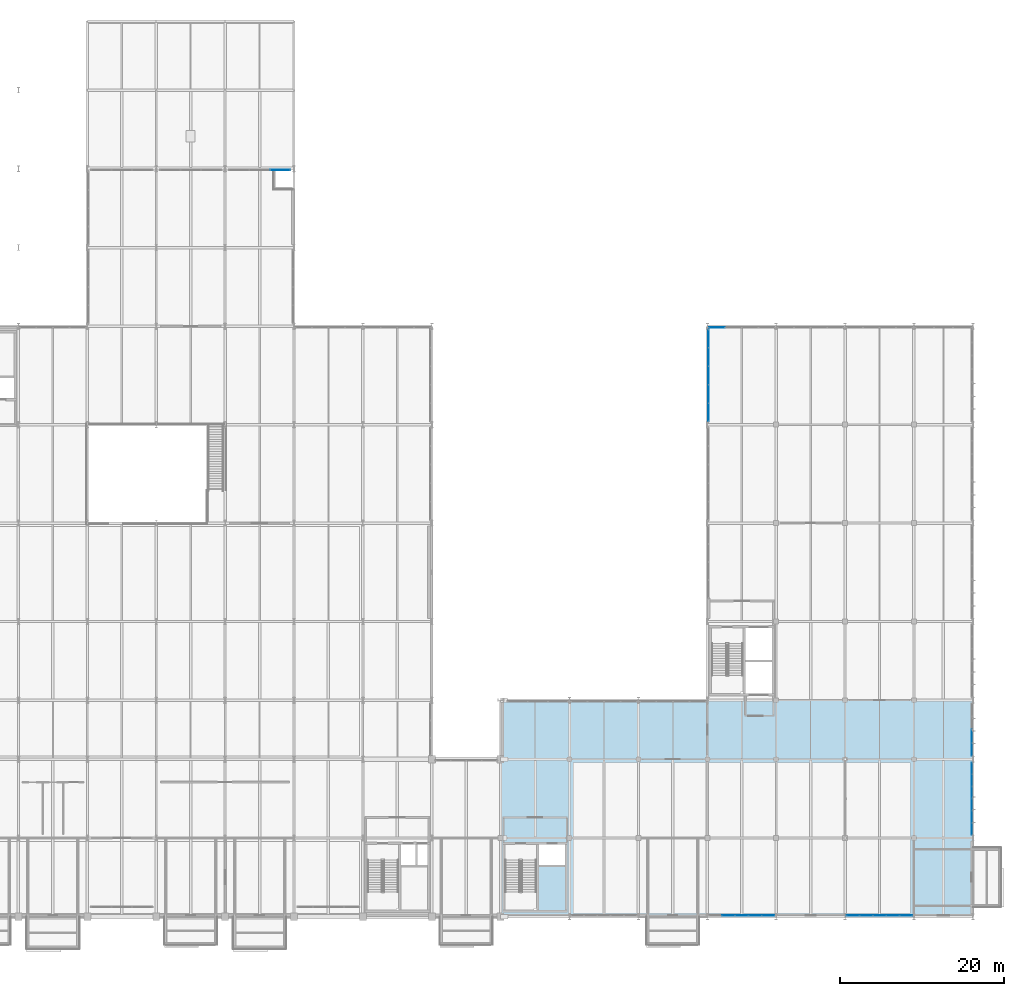
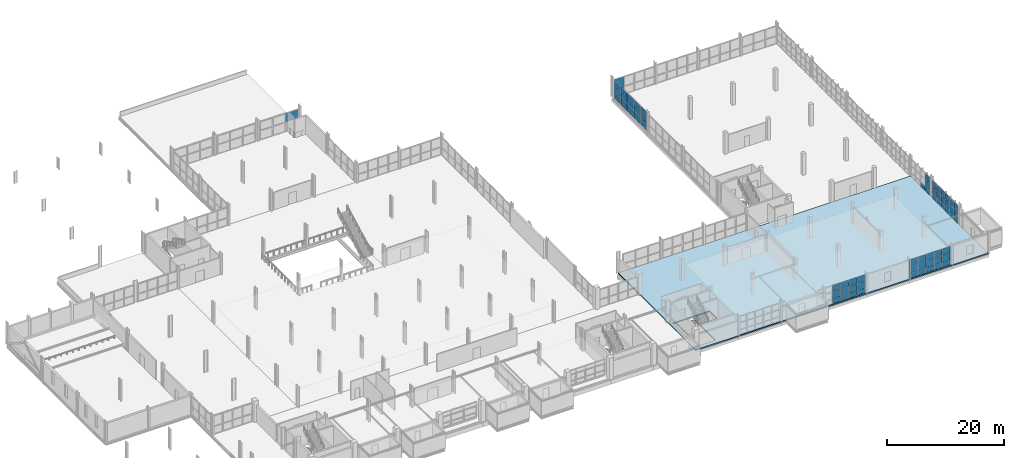
# One storey, part 91 of 113: 62 plates, 1 slab, 7 elements without a shape of their own.
"""IFC4 building model written with IfcOpenShell, lengths in metres."""

from ifc_helpers import new_model, si_unit, direction, frame, origin, origin_2d, place, context, subcontext, project, spatial, polyline, rectangle, outline, extrude, material, layer, layer_set, type_object, element, aggregate, save


model = new_model("IFC4")

# Units and contexts
model_context = context("Model", 3, precision=1e-05, world=origin(), true_north=direction((0.0, 1.0)))
body_context = subcontext(model_context, "Body", "Model", "MODEL_VIEW")
ifc_project = project(units=[si_unit("LENGTHUNIT", "METRE"), si_unit("AREAUNIT", "SQUARE_METRE"), si_unit("VOLUMEUNIT", "CUBIC_METRE"), si_unit("PLANEANGLEUNIT", "RADIAN"), si_unit("MASSUNIT", "GRAM", prefix="KILO")], contexts=[model_context])

# Site, building, storey
site_placement = place(None, origin())
site = spatial("IfcSite", under=ifc_project, at=site_placement, CompositionType="ELEMENT")
building_placement = place(site_placement, origin())
building = spatial("IfcBuilding", under=site, at=building_placement, Name="Veltarok Museum of Natural Sciences", CompositionType="ELEMENT")
storey_placement = place(building_placement, frame((0.0, 0.0, 8.39990234375)))
storey = spatial("IfcBuildingStorey", under=building, at=storey_placement, Name="L01", CompositionType="ELEMENT", Elevation=8.39990234375)

# Slab
ifc_material_1 = material(Name="Concrete C35/45", Category="concrete")
ifc_layer_1 = layer(ifc_material_1, 0.25)
ifc_layer_set_1 = layer_set([ifc_layer_1], Name="Concrete C35/45")
slab_type = type_object("IfcSlabType", Name="Suspended Museum Floor Slab 250", PredefinedType="FLOOR", material=ifc_layer_set_1)
slab_placement = place(storey_placement, frame((0.0, 0.0, -0.25)))
element("IfcSlab", 1, at=slab_placement, inside=storey, type_object=slab_type, Name="Floor Slab L01 V5S", PredefinedType="FLOOR", context=body_context, shape_type="SweptSolid", body=[
    extrude(outline(polyline([(107.22509765625, 0.0), (107.22509765625, 26.39990234375), (164.800048828125, 26.39990234375), (164.800048828125, 0.0), (107.22509765625, 0.0)]), holes=[polyline([(107.72998046875, 8.800048828125), (107.72998046875, 0.800048828125), (111.570068359375, 0.800048828125), (111.570068359375, 8.800048828125), (107.72998046875, 8.800048828125)]), polyline([(115.070068359375, 8.800048828125), (111.8701171875, 8.800048828125), (111.8701171875, 6.300048828125), (115.070068359375, 6.300048828125), (115.070068359375, 8.800048828125)])]), origin(), (0.0, 0.0, 1.0), 0.25),
])

# Curtain wall, plate
ifc_material_2 = material(Name="Low-iron triple insulated glass", Category="glass")
curtain_wall_type_1 = type_object("IfcCurtainWallType", Name="Curtain Wall System CW-V2NP-L01-9-756x385 (North Pavilion L01 9-10 756x385cm)", PredefinedType="NOTDEFINED", material=ifc_material_2)
curtain_wall_1_placement = place(storey_placement, origin())
curtain_wall_1 = element("IfcCurtainWall", 2, at=curtain_wall_1_placement, inside=storey, type_object=curtain_wall_type_1, Name="Curtain Wall CW-V2NP-L01-9-756x385 CW-0071", PredefinedType="NOTDEFINED")
ifc_layer_2 = layer(ifc_material_2, 0.028076171875)
ifc_layer_set_2 = layer_set([ifc_layer_2], Name="Low-iron triple insulated glass")
plate_type = type_object("IfcPlateType", Name="Triple Low-Iron Glazed Vision Panel 28", PredefinedType="CURTAIN_PANEL", material=ifc_layer_set_2)
plate_1_placement = place(storey_placement, frame((80.304931640625, 91.050048828125, 2.0302734375), z_axis=(0.0, 0.0, 1.0), x_axis=(-1.0, 0.0, 0.0)))
plate_1 = element("IfcPlate", 3, at=plate_1_placement, type_object=plate_type, Name="CW-V2NP-L01-9-756x385 panel 1.2", PredefinedType="CURTAIN_PANEL", context=body_context, shape_type="SweptSolid", body=[
    extrude(rectangle(XDim=2.429931640625, YDim=0.028076171875, at=origin_2d()), origin(), (0.0, 0.0, 1.0), 1.760009765625),
])
aggregate(curtain_wall_1, [plate_1])

# Curtain wall, plates
curtain_wall_type_2 = type_object("IfcCurtainWallType", Name="Curtain Wall System CW-V5S-L01-16-810x388 (V5 South Lab Curtain Wall L01 16-17 810x388cm)", PredefinedType="NOTDEFINED", material=ifc_material_2)
curtain_wall_2_placement = place(storey_placement, origin())
curtain_wall_2 = element("IfcCurtainWall", 4, at=curtain_wall_2_placement, inside=storey, type_object=curtain_wall_type_2, Name="Curtain Wall CW-V5S-L01-16-810x388 CW-0090", PredefinedType="NOTDEFINED")
plate_2_placement = place(storey_placement, frame((134.97998046875, 0.159912109375, 0.06005859375), z_axis=(0.0, 0.0, 1.0), x_axis=(1.0, 0.0, 0.0)))
plate_2 = element("IfcPlate", 5, at=plate_2_placement, type_object=plate_type, Name="CW-V5S-L01-16-810x388 panel 2.1", PredefinedType="CURTAIN_PANEL", context=body_context, shape_type="SweptSolid", body=[
    extrude(rectangle(XDim=1.56005859375, YDim=0.028076171875, at=origin_2d()), origin(), (0.0, 0.0, 1.0), 0.909912109375),
])
plate_3_placement = place(storey_placement, frame((134.97998046875, 0.159912109375, 1.030029296875), z_axis=(0.0, 0.0, 1.0), x_axis=(1.0, 0.0, 0.0)))
plate_3 = element("IfcPlate", 6, at=plate_3_placement, type_object=plate_type, Name="CW-V5S-L01-16-810x388 panel 2.2", PredefinedType="CURTAIN_PANEL", context=body_context, shape_type="SweptSolid", body=[
    extrude(rectangle(XDim=1.56005859375, YDim=0.028076171875, at=origin_2d()), origin(), (0.0, 0.0, 1.0), 1.43994140625),
])
plate_4_placement = place(storey_placement, frame((134.97998046875, 0.159912109375, 2.530029296875), z_axis=(0.0, 0.0, 1.0), x_axis=(1.0, 0.0, 0.0)))
plate_4 = element("IfcPlate", 7, at=plate_4_placement, type_object=plate_type, Name="CW-V5S-L01-16-810x388 panel 2.3", PredefinedType="CURTAIN_PANEL", context=body_context, shape_type="SweptSolid", body=[
    extrude(rectangle(XDim=1.56005859375, YDim=0.028076171875, at=origin_2d()), origin(), (0.0, 0.0, 1.0), 1.2900390625),
])
plate_5_placement = place(storey_placement, frame((136.60009765625, 0.159912109375, 0.06005859375), z_axis=(0.0, 0.0, 1.0), x_axis=(1.0, 0.0, 0.0)))
plate_5 = element("IfcPlate", 8, at=plate_5_placement, type_object=plate_type, Name="CW-V5S-L01-16-810x388 panel 3.1", PredefinedType="CURTAIN_PANEL", context=body_context, shape_type="SweptSolid", body=[
    extrude(rectangle(XDim=1.56005859375, YDim=0.028076171875, at=origin_2d()), origin(), (0.0, 0.0, 1.0), 0.909912109375),
])
plate_6_placement = place(storey_placement, frame((136.60009765625, 0.159912109375, 1.030029296875), z_axis=(0.0, 0.0, 1.0), x_axis=(1.0, 0.0, 0.0)))
plate_6 = element("IfcPlate", 9, at=plate_6_placement, type_object=plate_type, Name="CW-V5S-L01-16-810x388 panel 3.2", PredefinedType="CURTAIN_PANEL", context=body_context, shape_type="SweptSolid", body=[
    extrude(rectangle(XDim=1.56005859375, YDim=0.028076171875, at=origin_2d()), origin(), (0.0, 0.0, 1.0), 1.43994140625),
])
plate_7_placement = place(storey_placement, frame((136.60009765625, 0.159912109375, 2.530029296875), z_axis=(0.0, 0.0, 1.0), x_axis=(1.0, 0.0, 0.0)))
plate_7 = element("IfcPlate", 10, at=plate_7_placement, type_object=plate_type, Name="CW-V5S-L01-16-810x388 panel 3.3", PredefinedType="CURTAIN_PANEL", context=body_context, shape_type="SweptSolid", body=[
    extrude(rectangle(XDim=1.56005859375, YDim=0.028076171875, at=origin_2d()), origin(), (0.0, 0.0, 1.0), 1.2900390625),
])
plate_8_placement = place(storey_placement, frame((138.219970703125, 0.159912109375, 0.06005859375), z_axis=(0.0, 0.0, 1.0), x_axis=(1.0, 0.0, 0.0)))
plate_8 = element("IfcPlate", 11, at=plate_8_placement, type_object=plate_type, Name="CW-V5S-L01-16-810x388 panel 4.1", PredefinedType="CURTAIN_PANEL", context=body_context, shape_type="SweptSolid", body=[
    extrude(rectangle(XDim=1.56005859375, YDim=0.028076171875, at=origin_2d()), origin(), (0.0, 0.0, 1.0), 0.909912109375),
])
plate_9_placement = place(storey_placement, frame((138.219970703125, 0.159912109375, 1.030029296875), z_axis=(0.0, 0.0, 1.0), x_axis=(1.0, 0.0, 0.0)))
plate_9 = element("IfcPlate", 12, at=plate_9_placement, type_object=plate_type, Name="CW-V5S-L01-16-810x388 panel 4.2", PredefinedType="CURTAIN_PANEL", context=body_context, shape_type="SweptSolid", body=[
    extrude(rectangle(XDim=1.56005859375, YDim=0.028076171875, at=origin_2d()), origin(), (0.0, 0.0, 1.0), 1.43994140625),
])
plate_10_placement = place(storey_placement, frame((138.219970703125, 0.159912109375, 2.530029296875), z_axis=(0.0, 0.0, 1.0), x_axis=(1.0, 0.0, 0.0)))
plate_10 = element("IfcPlate", 13, at=plate_10_placement, type_object=plate_type, Name="CW-V5S-L01-16-810x388 panel 4.3", PredefinedType="CURTAIN_PANEL", context=body_context, shape_type="SweptSolid", body=[
    extrude(rectangle(XDim=1.56005859375, YDim=0.028076171875, at=origin_2d()), origin(), (0.0, 0.0, 1.0), 1.2900390625),
])
plate_11_placement = place(storey_placement, frame((139.824951171875, 0.159912109375, 0.06005859375), z_axis=(0.0, 0.0, 1.0), x_axis=(1.0, 0.0, 0.0)))
plate_11 = element("IfcPlate", 14, at=plate_11_placement, type_object=plate_type, Name="CW-V5S-L01-16-810x388 panel 5.1", PredefinedType="CURTAIN_PANEL", context=body_context, shape_type="SweptSolid", body=[
    extrude(rectangle(XDim=1.530029296875, YDim=0.028076171875, at=origin_2d()), origin(), (0.0, 0.0, 1.0), 0.909912109375),
])
plate_12_placement = place(storey_placement, frame((139.824951171875, 0.159912109375, 1.030029296875), z_axis=(0.0, 0.0, 1.0), x_axis=(1.0, 0.0, 0.0)))
plate_12 = element("IfcPlate", 15, at=plate_12_placement, type_object=plate_type, Name="CW-V5S-L01-16-810x388 panel 5.2", PredefinedType="CURTAIN_PANEL", context=body_context, shape_type="SweptSolid", body=[
    extrude(rectangle(XDim=1.530029296875, YDim=0.028076171875, at=origin_2d()), origin(), (0.0, 0.0, 1.0), 1.43994140625),
])
plate_13_placement = place(storey_placement, frame((139.824951171875, 0.159912109375, 2.530029296875), z_axis=(0.0, 0.0, 1.0), x_axis=(1.0, 0.0, 0.0)))
plate_13 = element("IfcPlate", 16, at=plate_13_placement, type_object=plate_type, Name="CW-V5S-L01-16-810x388 panel 5.3", PredefinedType="CURTAIN_PANEL", context=body_context, shape_type="SweptSolid", body=[
    extrude(rectangle(XDim=1.530029296875, YDim=0.028076171875, at=origin_2d()), origin(), (0.0, 0.0, 1.0), 1.2900390625),
])
aggregate(curtain_wall_2, [plate_2, plate_3, plate_4, plate_5, plate_6, plate_7, plate_8, plate_9, plate_10, plate_11, plate_12, plate_13])

curtain_wall_type_3 = type_object("IfcCurtainWallType", Name="Curtain Wall System CW-V5S-L01-18-810x388 (V5 South Lab Curtain Wall L01 18-19 810x388cm)", PredefinedType="NOTDEFINED", material=ifc_material_2)
curtain_wall_3_placement = place(storey_placement, origin())
curtain_wall_3 = element("IfcCurtainWall", 17, at=curtain_wall_3_placement, inside=storey, type_object=curtain_wall_type_3, Name="Curtain Wall CW-V5S-L01-18-810x388 CW-0091", PredefinedType="NOTDEFINED")
plate_14_placement = place(storey_placement, frame((150.175048828125, 0.159912109375, 0.06005859375), z_axis=(0.0, 0.0, 1.0), x_axis=(1.0, 0.0, 0.0)))
plate_14 = element("IfcPlate", 18, at=plate_14_placement, type_object=plate_type, Name="CW-V5S-L01-18-810x388 panel 1.1", PredefinedType="CURTAIN_PANEL", context=body_context, shape_type="SweptSolid", body=[
    extrude(rectangle(XDim=1.530029296875, YDim=0.028076171875, at=origin_2d()), origin(), (0.0, 0.0, 1.0), 0.909912109375),
])
plate_15_placement = place(storey_placement, frame((150.175048828125, 0.159912109375, 1.030029296875), z_axis=(0.0, 0.0, 1.0), x_axis=(1.0, 0.0, 0.0)))
plate_15 = element("IfcPlate", 19, at=plate_15_placement, type_object=plate_type, Name="CW-V5S-L01-18-810x388 panel 1.2", PredefinedType="CURTAIN_PANEL", context=body_context, shape_type="SweptSolid", body=[
    extrude(rectangle(XDim=1.530029296875, YDim=0.028076171875, at=origin_2d()), origin(), (0.0, 0.0, 1.0), 1.43994140625),
])
plate_16_placement = place(storey_placement, frame((150.175048828125, 0.159912109375, 2.530029296875), z_axis=(0.0, 0.0, 1.0), x_axis=(1.0, 0.0, 0.0)))
plate_16 = element("IfcPlate", 20, at=plate_16_placement, type_object=plate_type, Name="CW-V5S-L01-18-810x388 panel 1.3", PredefinedType="CURTAIN_PANEL", context=body_context, shape_type="SweptSolid", body=[
    extrude(rectangle(XDim=1.530029296875, YDim=0.028076171875, at=origin_2d()), origin(), (0.0, 0.0, 1.0), 1.2900390625),
])
plate_17_placement = place(storey_placement, frame((151.780029296875, 0.159912109375, 0.06005859375), z_axis=(0.0, 0.0, 1.0), x_axis=(1.0, 0.0, 0.0)))
plate_17 = element("IfcPlate", 21, at=plate_17_placement, type_object=plate_type, Name="CW-V5S-L01-18-810x388 panel 2.1", PredefinedType="CURTAIN_PANEL", context=body_context, shape_type="SweptSolid", body=[
    extrude(rectangle(XDim=1.56005859375, YDim=0.028076171875, at=origin_2d()), origin(), (0.0, 0.0, 1.0), 0.909912109375),
])
plate_18_placement = place(storey_placement, frame((151.780029296875, 0.159912109375, 1.030029296875), z_axis=(0.0, 0.0, 1.0), x_axis=(1.0, 0.0, 0.0)))
plate_18 = element("IfcPlate", 22, at=plate_18_placement, type_object=plate_type, Name="CW-V5S-L01-18-810x388 panel 2.2", PredefinedType="CURTAIN_PANEL", context=body_context, shape_type="SweptSolid", body=[
    extrude(rectangle(XDim=1.56005859375, YDim=0.028076171875, at=origin_2d()), origin(), (0.0, 0.0, 1.0), 1.43994140625),
])
plate_19_placement = place(storey_placement, frame((151.780029296875, 0.159912109375, 2.530029296875), z_axis=(0.0, 0.0, 1.0), x_axis=(1.0, 0.0, 0.0)))
plate_19 = element("IfcPlate", 23, at=plate_19_placement, type_object=plate_type, Name="CW-V5S-L01-18-810x388 panel 2.3", PredefinedType="CURTAIN_PANEL", context=body_context, shape_type="SweptSolid", body=[
    extrude(rectangle(XDim=1.56005859375, YDim=0.028076171875, at=origin_2d()), origin(), (0.0, 0.0, 1.0), 1.2900390625),
])
plate_20_placement = place(storey_placement, frame((153.39990234375, 0.159912109375, 0.06005859375), z_axis=(0.0, 0.0, 1.0), x_axis=(1.0, 0.0, 0.0)))
plate_20 = element("IfcPlate", 24, at=plate_20_placement, type_object=plate_type, Name="CW-V5S-L01-18-810x388 panel 3.1", PredefinedType="CURTAIN_PANEL", context=body_context, shape_type="SweptSolid", body=[
    extrude(rectangle(XDim=1.56005859375, YDim=0.028076171875, at=origin_2d()), origin(), (0.0, 0.0, 1.0), 0.909912109375),
])
plate_21_placement = place(storey_placement, frame((153.39990234375, 0.159912109375, 1.030029296875), z_axis=(0.0, 0.0, 1.0), x_axis=(1.0, 0.0, 0.0)))
plate_21 = element("IfcPlate", 25, at=plate_21_placement, type_object=plate_type, Name="CW-V5S-L01-18-810x388 panel 3.2", PredefinedType="CURTAIN_PANEL", context=body_context, shape_type="SweptSolid", body=[
    extrude(rectangle(XDim=1.56005859375, YDim=0.028076171875, at=origin_2d()), origin(), (0.0, 0.0, 1.0), 1.43994140625),
])
plate_22_placement = place(storey_placement, frame((153.39990234375, 0.159912109375, 2.530029296875), z_axis=(0.0, 0.0, 1.0), x_axis=(1.0, 0.0, 0.0)))
plate_22 = element("IfcPlate", 26, at=plate_22_placement, type_object=plate_type, Name="CW-V5S-L01-18-810x388 panel 3.3", PredefinedType="CURTAIN_PANEL", context=body_context, shape_type="SweptSolid", body=[
    extrude(rectangle(XDim=1.56005859375, YDim=0.028076171875, at=origin_2d()), origin(), (0.0, 0.0, 1.0), 1.2900390625),
])
plate_23_placement = place(storey_placement, frame((155.02001953125, 0.159912109375, 0.06005859375), z_axis=(0.0, 0.0, 1.0), x_axis=(1.0, 0.0, 0.0)))
plate_23 = element("IfcPlate", 27, at=plate_23_placement, type_object=plate_type, Name="CW-V5S-L01-18-810x388 panel 4.1", PredefinedType="CURTAIN_PANEL", context=body_context, shape_type="SweptSolid", body=[
    extrude(rectangle(XDim=1.56005859375, YDim=0.028076171875, at=origin_2d()), origin(), (0.0, 0.0, 1.0), 0.909912109375),
])
plate_24_placement = place(storey_placement, frame((155.02001953125, 0.159912109375, 1.030029296875), z_axis=(0.0, 0.0, 1.0), x_axis=(1.0, 0.0, 0.0)))
plate_24 = element("IfcPlate", 28, at=plate_24_placement, type_object=plate_type, Name="CW-V5S-L01-18-810x388 panel 4.2", PredefinedType="CURTAIN_PANEL", context=body_context, shape_type="SweptSolid", body=[
    extrude(rectangle(XDim=1.56005859375, YDim=0.028076171875, at=origin_2d()), origin(), (0.0, 0.0, 1.0), 1.43994140625),
])
plate_25_placement = place(storey_placement, frame((155.02001953125, 0.159912109375, 2.530029296875), z_axis=(0.0, 0.0, 1.0), x_axis=(1.0, 0.0, 0.0)))
plate_25 = element("IfcPlate", 29, at=plate_25_placement, type_object=plate_type, Name="CW-V5S-L01-18-810x388 panel 4.3", PredefinedType="CURTAIN_PANEL", context=body_context, shape_type="SweptSolid", body=[
    extrude(rectangle(XDim=1.56005859375, YDim=0.028076171875, at=origin_2d()), origin(), (0.0, 0.0, 1.0), 1.2900390625),
])
plate_26_placement = place(storey_placement, frame((156.625, 0.159912109375, 0.06005859375), z_axis=(0.0, 0.0, 1.0), x_axis=(1.0, 0.0, 0.0)))
plate_26 = element("IfcPlate", 30, at=plate_26_placement, type_object=plate_type, Name="CW-V5S-L01-18-810x388 panel 5.1", PredefinedType="CURTAIN_PANEL", context=body_context, shape_type="SweptSolid", body=[
    extrude(rectangle(XDim=1.530029296875, YDim=0.028076171875, at=origin_2d()), origin(), (0.0, 0.0, 1.0), 0.909912109375),
])
plate_27_placement = place(storey_placement, frame((156.625, 0.159912109375, 1.030029296875), z_axis=(0.0, 0.0, 1.0), x_axis=(1.0, 0.0, 0.0)))
plate_27 = element("IfcPlate", 31, at=plate_27_placement, type_object=plate_type, Name="CW-V5S-L01-18-810x388 panel 5.2", PredefinedType="CURTAIN_PANEL", context=body_context, shape_type="SweptSolid", body=[
    extrude(rectangle(XDim=1.530029296875, YDim=0.028076171875, at=origin_2d()), origin(), (0.0, 0.0, 1.0), 1.43994140625),
])
plate_28_placement = place(storey_placement, frame((156.625, 0.159912109375, 2.530029296875), z_axis=(0.0, 0.0, 1.0), x_axis=(1.0, 0.0, 0.0)))
plate_28 = element("IfcPlate", 32, at=plate_28_placement, type_object=plate_type, Name="CW-V5S-L01-18-810x388 panel 5.3", PredefinedType="CURTAIN_PANEL", context=body_context, shape_type="SweptSolid", body=[
    extrude(rectangle(XDim=1.530029296875, YDim=0.028076171875, at=origin_2d()), origin(), (0.0, 0.0, 1.0), 1.2900390625),
])
aggregate(curtain_wall_3, [plate_14, plate_15, plate_16, plate_17, plate_18, plate_19, plate_20, plate_21, plate_22, plate_23, plate_24, plate_25, plate_26, plate_27, plate_28])

curtain_wall_type_4 = type_object("IfcCurtainWallType", Name="Curtain Wall System CW-V5E-L01-B-890x388 (V5 East Lab L01 B-C 890x388cm)", PredefinedType="NOTDEFINED", material=ifc_material_2)
curtain_wall_4_placement = place(storey_placement, origin())
curtain_wall_4 = element("IfcCurtainWall", 33, at=curtain_wall_4_placement, inside=storey, type_object=curtain_wall_type_4, Name="Curtain Wall CW-V5E-L01-B-890x388 CW-0103", PredefinedType="NOTDEFINED")
plate_29_placement = place(storey_placement, frame((164.64990234375, 10.706787109375, 0.06005859375), z_axis=(0.0, 0.0, 1.0), x_axis=(0.0, 1.0, 0.0)))
plate_29 = element("IfcPlate", 34, at=plate_29_placement, type_object=plate_type, Name="CW-V5E-L01-B-890x388 panel 1.1", PredefinedType="CURTAIN_PANEL", context=body_context, shape_type="SweptSolid", body=[
    extrude(rectangle(XDim=1.393310546875, YDim=0.028076171875, at=origin_2d()), origin(), (0.0, 0.0, 1.0), 0.909912109375),
])
plate_30_placement = place(storey_placement, frame((164.64990234375, 10.706787109375, 1.030029296875), z_axis=(0.0, 0.0, 1.0), x_axis=(0.0, 1.0, 0.0)))
plate_30 = element("IfcPlate", 35, at=plate_30_placement, type_object=plate_type, Name="CW-V5E-L01-B-890x388 panel 1.2", PredefinedType="CURTAIN_PANEL", context=body_context, shape_type="SweptSolid", body=[
    extrude(rectangle(XDim=1.393310546875, YDim=0.028076171875, at=origin_2d()), origin(), (0.0, 0.0, 1.0), 1.43994140625),
])
plate_31_placement = place(storey_placement, frame((164.64990234375, 10.706787109375, 2.530029296875), z_axis=(0.0, 0.0, 1.0), x_axis=(0.0, 1.0, 0.0)))
plate_31 = element("IfcPlate", 36, at=plate_31_placement, type_object=plate_type, Name="CW-V5E-L01-B-890x388 panel 1.3", PredefinedType="CURTAIN_PANEL", context=body_context, shape_type="SweptSolid", body=[
    extrude(rectangle(XDim=1.393310546875, YDim=0.028076171875, at=origin_2d()), origin(), (0.0, 0.0, 1.0), 1.2900390625),
])
plate_32_placement = place(storey_placement, frame((164.64990234375, 12.175048828125, 0.06005859375), z_axis=(0.0, 0.0, 1.0), x_axis=(0.0, 1.0, 0.0)))
plate_32 = element("IfcPlate", 37, at=plate_32_placement, type_object=plate_type, Name="CW-V5E-L01-B-890x388 panel 2.1", PredefinedType="CURTAIN_PANEL", context=body_context, shape_type="SweptSolid", body=[
    extrude(rectangle(XDim=1.42333984375, YDim=0.028076171875, at=origin_2d()), origin(), (0.0, 0.0, 1.0), 0.909912109375),
])
plate_33_placement = place(storey_placement, frame((164.64990234375, 12.175048828125, 1.030029296875), z_axis=(0.0, 0.0, 1.0), x_axis=(0.0, 1.0, 0.0)))
plate_33 = element("IfcPlate", 38, at=plate_33_placement, type_object=plate_type, Name="CW-V5E-L01-B-890x388 panel 2.2", PredefinedType="CURTAIN_PANEL", context=body_context, shape_type="SweptSolid", body=[
    extrude(rectangle(XDim=1.42333984375, YDim=0.028076171875, at=origin_2d()), origin(), (0.0, 0.0, 1.0), 1.43994140625),
])
plate_34_placement = place(storey_placement, frame((164.64990234375, 12.175048828125, 2.530029296875), z_axis=(0.0, 0.0, 1.0), x_axis=(0.0, 1.0, 0.0)))
plate_34 = element("IfcPlate", 39, at=plate_34_placement, type_object=plate_type, Name="CW-V5E-L01-B-890x388 panel 2.3", PredefinedType="CURTAIN_PANEL", context=body_context, shape_type="SweptSolid", body=[
    extrude(rectangle(XDim=1.42333984375, YDim=0.028076171875, at=origin_2d()), origin(), (0.0, 0.0, 1.0), 1.2900390625),
])
plate_35_placement = place(storey_placement, frame((164.64990234375, 13.658447265625, 0.06005859375), z_axis=(0.0, 0.0, 1.0), x_axis=(0.0, 1.0, 0.0)))
plate_35 = element("IfcPlate", 40, at=plate_35_placement, type_object=plate_type, Name="CW-V5E-L01-B-890x388 panel 3.1", PredefinedType="CURTAIN_PANEL", context=body_context, shape_type="SweptSolid", body=[
    extrude(rectangle(XDim=1.42333984375, YDim=0.028076171875, at=origin_2d()), origin(), (0.0, 0.0, 1.0), 0.909912109375),
])
plate_36_placement = place(storey_placement, frame((164.64990234375, 13.658447265625, 1.030029296875), z_axis=(0.0, 0.0, 1.0), x_axis=(0.0, 1.0, 0.0)))
plate_36 = element("IfcPlate", 41, at=plate_36_placement, type_object=plate_type, Name="CW-V5E-L01-B-890x388 panel 3.2", PredefinedType="CURTAIN_PANEL", context=body_context, shape_type="SweptSolid", body=[
    extrude(rectangle(XDim=1.42333984375, YDim=0.028076171875, at=origin_2d()), origin(), (0.0, 0.0, 1.0), 1.43994140625),
])
plate_37_placement = place(storey_placement, frame((164.64990234375, 13.658447265625, 2.530029296875), z_axis=(0.0, 0.0, 1.0), x_axis=(0.0, 1.0, 0.0)))
plate_37 = element("IfcPlate", 42, at=plate_37_placement, type_object=plate_type, Name="CW-V5E-L01-B-890x388 panel 3.3", PredefinedType="CURTAIN_PANEL", context=body_context, shape_type="SweptSolid", body=[
    extrude(rectangle(XDim=1.42333984375, YDim=0.028076171875, at=origin_2d()), origin(), (0.0, 0.0, 1.0), 1.2900390625),
])
plate_38_placement = place(storey_placement, frame((164.64990234375, 15.1416015625, 0.06005859375), z_axis=(0.0, 0.0, 1.0), x_axis=(0.0, 1.0, 0.0)))
plate_38 = element("IfcPlate", 43, at=plate_38_placement, type_object=plate_type, Name="CW-V5E-L01-B-890x388 panel 4.1", PredefinedType="CURTAIN_PANEL", context=body_context, shape_type="SweptSolid", body=[
    extrude(rectangle(XDim=1.42333984375, YDim=0.028076171875, at=origin_2d()), origin(), (0.0, 0.0, 1.0), 0.909912109375),
])
plate_39_placement = place(storey_placement, frame((164.64990234375, 15.1416015625, 1.030029296875), z_axis=(0.0, 0.0, 1.0), x_axis=(0.0, 1.0, 0.0)))
plate_39 = element("IfcPlate", 44, at=plate_39_placement, type_object=plate_type, Name="CW-V5E-L01-B-890x388 panel 4.2", PredefinedType="CURTAIN_PANEL", context=body_context, shape_type="SweptSolid", body=[
    extrude(rectangle(XDim=1.42333984375, YDim=0.028076171875, at=origin_2d()), origin(), (0.0, 0.0, 1.0), 1.43994140625),
])
plate_40_placement = place(storey_placement, frame((164.64990234375, 15.1416015625, 2.530029296875), z_axis=(0.0, 0.0, 1.0), x_axis=(0.0, 1.0, 0.0)))
plate_40 = element("IfcPlate", 45, at=plate_40_placement, type_object=plate_type, Name="CW-V5E-L01-B-890x388 panel 4.3", PredefinedType="CURTAIN_PANEL", context=body_context, shape_type="SweptSolid", body=[
    extrude(rectangle(XDim=1.42333984375, YDim=0.028076171875, at=origin_2d()), origin(), (0.0, 0.0, 1.0), 1.2900390625),
])
plate_41_placement = place(storey_placement, frame((164.64990234375, 16.625, 0.06005859375), z_axis=(0.0, 0.0, 1.0), x_axis=(0.0, 1.0, 0.0)))
plate_41 = element("IfcPlate", 46, at=plate_41_placement, type_object=plate_type, Name="CW-V5E-L01-B-890x388 panel 5.1", PredefinedType="CURTAIN_PANEL", context=body_context, shape_type="SweptSolid", body=[
    extrude(rectangle(XDim=1.42333984375, YDim=0.028076171875, at=origin_2d()), origin(), (0.0, 0.0, 1.0), 0.909912109375),
])
plate_42_placement = place(storey_placement, frame((164.64990234375, 16.625, 1.030029296875), z_axis=(0.0, 0.0, 1.0), x_axis=(0.0, 1.0, 0.0)))
plate_42 = element("IfcPlate", 47, at=plate_42_placement, type_object=plate_type, Name="CW-V5E-L01-B-890x388 panel 5.2", PredefinedType="CURTAIN_PANEL", context=body_context, shape_type="SweptSolid", body=[
    extrude(rectangle(XDim=1.42333984375, YDim=0.028076171875, at=origin_2d()), origin(), (0.0, 0.0, 1.0), 1.43994140625),
])
plate_43_placement = place(storey_placement, frame((164.64990234375, 16.625, 2.530029296875), z_axis=(0.0, 0.0, 1.0), x_axis=(0.0, 1.0, 0.0)))
plate_43 = element("IfcPlate", 48, at=plate_43_placement, type_object=plate_type, Name="CW-V5E-L01-B-890x388 panel 5.3", PredefinedType="CURTAIN_PANEL", context=body_context, shape_type="SweptSolid", body=[
    extrude(rectangle(XDim=1.42333984375, YDim=0.028076171875, at=origin_2d()), origin(), (0.0, 0.0, 1.0), 1.2900390625),
])
plate_44_placement = place(storey_placement, frame((164.64990234375, 18.09326171875, 0.06005859375), z_axis=(0.0, 0.0, 1.0), x_axis=(0.0, 1.0, 0.0)))
plate_44 = element("IfcPlate", 49, at=plate_44_placement, type_object=plate_type, Name="CW-V5E-L01-B-890x388 panel 6.1", PredefinedType="CURTAIN_PANEL", context=body_context, shape_type="SweptSolid", body=[
    extrude(rectangle(XDim=1.393310546875, YDim=0.028076171875, at=origin_2d()), origin(), (0.0, 0.0, 1.0), 0.909912109375),
])
plate_45_placement = place(storey_placement, frame((164.64990234375, 18.09326171875, 1.030029296875), z_axis=(0.0, 0.0, 1.0), x_axis=(0.0, 1.0, 0.0)))
plate_45 = element("IfcPlate", 50, at=plate_45_placement, type_object=plate_type, Name="CW-V5E-L01-B-890x388 panel 6.2", PredefinedType="CURTAIN_PANEL", context=body_context, shape_type="SweptSolid", body=[
    extrude(rectangle(XDim=1.393310546875, YDim=0.028076171875, at=origin_2d()), origin(), (0.0, 0.0, 1.0), 1.43994140625),
])
plate_46_placement = place(storey_placement, frame((164.64990234375, 18.09326171875, 2.530029296875), z_axis=(0.0, 0.0, 1.0), x_axis=(0.0, 1.0, 0.0)))
plate_46 = element("IfcPlate", 51, at=plate_46_placement, type_object=plate_type, Name="CW-V5E-L01-B-890x388 panel 6.3", PredefinedType="CURTAIN_PANEL", context=body_context, shape_type="SweptSolid", body=[
    extrude(rectangle(XDim=1.393310546875, YDim=0.028076171875, at=origin_2d()), origin(), (0.0, 0.0, 1.0), 1.2900390625),
])
aggregate(curtain_wall_4, [plate_29, plate_30, plate_31, plate_32, plate_33, plate_34, plate_35, plate_36, plate_37, plate_38, plate_39, plate_40, plate_41, plate_42, plate_43, plate_44, plate_45, plate_46])

curtain_wall_type_5 = type_object("IfcCurtainWallType", Name="Curtain Wall System CW-V5E-L01-C-650x388 (V5 East Lab L01 C-D 650x388cm)", PredefinedType="NOTDEFINED", material=ifc_material_2)
curtain_wall_5_placement = place(storey_placement, origin())
curtain_wall_5 = element("IfcCurtainWall", 52, at=curtain_wall_5_placement, inside=storey, type_object=curtain_wall_type_5, Name="Curtain Wall CW-V5E-L01-C-650x388 CW-0104", PredefinedType="NOTDEFINED")
plate_47_placement = place(storey_placement, frame((164.64990234375, 20.37744140625, 0.06005859375), z_axis=(0.0, 0.0, 1.0), x_axis=(0.0, 1.0, 0.0)))
plate_47 = element("IfcPlate", 53, at=plate_47_placement, type_object=plate_type, Name="CW-V5E-L01-C-650x388 panel 1.1", PredefinedType="CURTAIN_PANEL", context=body_context, shape_type="SweptSolid", body=[
    extrude(rectangle(XDim=1.534912109375, YDim=0.028076171875, at=origin_2d()), origin(), (0.0, 0.0, 1.0), 0.909912109375),
])
plate_48_placement = place(storey_placement, frame((164.64990234375, 20.37744140625, 1.030029296875), z_axis=(0.0, 0.0, 1.0), x_axis=(0.0, 1.0, 0.0)))
plate_48 = element("IfcPlate", 54, at=plate_48_placement, type_object=plate_type, Name="CW-V5E-L01-C-650x388 panel 1.2", PredefinedType="CURTAIN_PANEL", context=body_context, shape_type="SweptSolid", body=[
    extrude(rectangle(XDim=1.534912109375, YDim=0.028076171875, at=origin_2d()), origin(), (0.0, 0.0, 1.0), 1.43994140625),
])
plate_49_placement = place(storey_placement, frame((164.64990234375, 20.37744140625, 2.530029296875), z_axis=(0.0, 0.0, 1.0), x_axis=(0.0, 1.0, 0.0)))
plate_49 = element("IfcPlate", 55, at=plate_49_placement, type_object=plate_type, Name="CW-V5E-L01-C-650x388 panel 1.3", PredefinedType="CURTAIN_PANEL", context=body_context, shape_type="SweptSolid", body=[
    extrude(rectangle(XDim=1.534912109375, YDim=0.028076171875, at=origin_2d()), origin(), (0.0, 0.0, 1.0), 1.2900390625),
])
plate_50_placement = place(storey_placement, frame((164.64990234375, 21.987548828125, 0.06005859375), z_axis=(0.0, 0.0, 1.0), x_axis=(0.0, 1.0, 0.0)))
plate_50 = element("IfcPlate", 56, at=plate_50_placement, type_object=plate_type, Name="CW-V5E-L01-C-650x388 panel 2.1", PredefinedType="CURTAIN_PANEL", context=body_context, shape_type="SweptSolid", body=[
    extrude(rectangle(XDim=1.56494140625, YDim=0.028076171875, at=origin_2d()), origin(), (0.0, 0.0, 1.0), 0.909912109375),
])
aggregate(curtain_wall_5, [plate_47, plate_48, plate_49, plate_50])

curtain_wall_type_6 = type_object("IfcCurtainWallType", Name="Curtain Wall System CW-V5CW-L01-0-1130x388 (CW-V5CW L01 1130x388cm)", PredefinedType="NOTDEFINED", material=ifc_material_2)
curtain_wall_6_placement = place(storey_placement, origin())
curtain_wall_6 = element("IfcCurtainWall", 57, at=curtain_wall_6_placement, inside=storey, type_object=curtain_wall_type_6, Name="Curtain Wall CW-V5CW-L01-0-1130x388 CW-0176", PredefinedType="NOTDEFINED")
plate_51_placement = place(storey_placement, frame((132.550048828125, 61.4951171875, 0.05810546875), z_axis=(0.0, 0.0, 1.0), x_axis=(0.0, 1.0, 0.0)))
plate_51 = element("IfcPlate", 58, at=plate_51_placement, type_object=plate_type, Name="CW-V5CW-L01-0-1130x388 panel 1.1", PredefinedType="CURTAIN_PANEL", context=body_context, shape_type="SweptSolid", body=[
    extrude(rectangle(XDim=2.169921875, YDim=0.028076171875, at=origin_2d()), origin(), (0.0, 0.0, 1.0), 1.56005859375),
])
plate_52_placement = place(storey_placement, frame((132.550048828125, 61.4951171875, 1.677978515625), z_axis=(0.0, 0.0, 1.0), x_axis=(0.0, 1.0, 0.0)))
plate_52 = element("IfcPlate", 59, at=plate_52_placement, type_object=plate_type, Name="CW-V5CW-L01-0-1130x388 panel 1.2", PredefinedType="CURTAIN_PANEL", context=body_context, shape_type="SweptSolid", body=[
    extrude(rectangle(XDim=2.169921875, YDim=0.028076171875, at=origin_2d()), origin(), (0.0, 0.0, 1.0), 2.14208984375),
])
plate_53_placement = place(storey_placement, frame((132.550048828125, 63.739990234375, 0.05810546875), z_axis=(0.0, 0.0, 1.0), x_axis=(0.0, 1.0, 0.0)))
plate_53 = element("IfcPlate", 60, at=plate_53_placement, type_object=plate_type, Name="CW-V5CW-L01-0-1130x388 panel 2.1", PredefinedType="CURTAIN_PANEL", context=body_context, shape_type="SweptSolid", body=[
    extrude(rectangle(XDim=2.199951171875, YDim=0.028076171875, at=origin_2d()), origin(), (0.0, 0.0, 1.0), 1.56005859375),
])
plate_54_placement = place(storey_placement, frame((132.550048828125, 63.739990234375, 1.677978515625), z_axis=(0.0, 0.0, 1.0), x_axis=(0.0, 1.0, 0.0)))
plate_54 = element("IfcPlate", 61, at=plate_54_placement, type_object=plate_type, Name="CW-V5CW-L01-0-1130x388 panel 2.2", PredefinedType="CURTAIN_PANEL", context=body_context, shape_type="SweptSolid", body=[
    extrude(rectangle(XDim=2.199951171875, YDim=0.028076171875, at=origin_2d()), origin(), (0.0, 0.0, 1.0), 2.14208984375),
])
plate_55_placement = place(storey_placement, frame((132.550048828125, 66.0, 0.05810546875), z_axis=(0.0, 0.0, 1.0), x_axis=(0.0, 1.0, 0.0)))
plate_55 = element("IfcPlate", 62, at=plate_55_placement, type_object=plate_type, Name="CW-V5CW-L01-0-1130x388 panel 3.1", PredefinedType="CURTAIN_PANEL", context=body_context, shape_type="SweptSolid", body=[
    extrude(rectangle(XDim=2.199951171875, YDim=0.028076171875, at=origin_2d()), origin(), (0.0, 0.0, 1.0), 1.56005859375),
])
plate_56_placement = place(storey_placement, frame((132.550048828125, 66.0, 1.677978515625), z_axis=(0.0, 0.0, 1.0), x_axis=(0.0, 1.0, 0.0)))
plate_56 = element("IfcPlate", 63, at=plate_56_placement, type_object=plate_type, Name="CW-V5CW-L01-0-1130x388 panel 3.2", PredefinedType="CURTAIN_PANEL", context=body_context, shape_type="SweptSolid", body=[
    extrude(rectangle(XDim=2.199951171875, YDim=0.028076171875, at=origin_2d()), origin(), (0.0, 0.0, 1.0), 2.14208984375),
])
plate_57_placement = place(storey_placement, frame((132.550048828125, 68.260009765625, 0.05810546875), z_axis=(0.0, 0.0, 1.0), x_axis=(0.0, 1.0, 0.0)))
plate_57 = element("IfcPlate", 64, at=plate_57_placement, type_object=plate_type, Name="CW-V5CW-L01-0-1130x388 panel 4.1", PredefinedType="CURTAIN_PANEL", context=body_context, shape_type="SweptSolid", body=[
    extrude(rectangle(XDim=2.199951171875, YDim=0.028076171875, at=origin_2d()), origin(), (0.0, 0.0, 1.0), 1.56005859375),
])
plate_58_placement = place(storey_placement, frame((132.550048828125, 68.260009765625, 1.677978515625), z_axis=(0.0, 0.0, 1.0), x_axis=(0.0, 1.0, 0.0)))
plate_58 = element("IfcPlate", 65, at=plate_58_placement, type_object=plate_type, Name="CW-V5CW-L01-0-1130x388 panel 4.2", PredefinedType="CURTAIN_PANEL", context=body_context, shape_type="SweptSolid", body=[
    extrude(rectangle(XDim=2.199951171875, YDim=0.028076171875, at=origin_2d()), origin(), (0.0, 0.0, 1.0), 2.14208984375),
])
plate_59_placement = place(storey_placement, frame((132.550048828125, 70.5048828125, 0.05810546875), z_axis=(0.0, 0.0, 1.0), x_axis=(0.0, 1.0, 0.0)))
plate_59 = element("IfcPlate", 66, at=plate_59_placement, type_object=plate_type, Name="CW-V5CW-L01-0-1130x388 panel 5.1", PredefinedType="CURTAIN_PANEL", context=body_context, shape_type="SweptSolid", body=[
    extrude(rectangle(XDim=2.169921875, YDim=0.028076171875, at=origin_2d()), origin(), (0.0, 0.0, 1.0), 1.56005859375),
])
plate_60_placement = place(storey_placement, frame((132.550048828125, 70.5048828125, 1.677978515625), z_axis=(0.0, 0.0, 1.0), x_axis=(0.0, 1.0, 0.0)))
plate_60 = element("IfcPlate", 67, at=plate_60_placement, type_object=plate_type, Name="CW-V5CW-L01-0-1130x388 panel 5.2", PredefinedType="CURTAIN_PANEL", context=body_context, shape_type="SweptSolid", body=[
    extrude(rectangle(XDim=2.169921875, YDim=0.028076171875, at=origin_2d()), origin(), (0.0, 0.0, 1.0), 2.14208984375),
])
aggregate(curtain_wall_6, [plate_51, plate_52, plate_53, plate_54, plate_55, plate_56, plate_57, plate_58, plate_59, plate_60])

curtain_wall_type_7 = type_object("IfcCurtainWallType", Name="Curtain Wall System CW-V5N-L01-3-810x373 (CW-V5N L01 810x373cm)", PredefinedType="NOTDEFINED", material=ifc_material_2)
curtain_wall_7_placement = place(storey_placement, origin())
curtain_wall_7 = element("IfcCurtainWall", 68, at=curtain_wall_7_placement, inside=storey, type_object=curtain_wall_type_7, Name="Curtain Wall CW-V5N-L01-3-810x373 CW-0199", PredefinedType="NOTDEFINED")
plate_61_placement = place(storey_placement, frame((133.577392578125, 71.85009765625, 0.05810546875), z_axis=(0.0, 0.0, 1.0), x_axis=(-1.0, 0.0, 0.0)))
plate_61 = element("IfcPlate", 69, at=plate_61_placement, type_object=plate_type, Name="CW-V5N-L01-3-810x373 panel 4.1", PredefinedType="CURTAIN_PANEL", context=body_context, shape_type="SweptSolid", body=[
    extrude(rectangle(XDim=1.93505859375, YDim=0.028076171875, at=origin_2d()), origin(), (0.0, 0.0, 1.0), 1.56005859375),
])
plate_62_placement = place(storey_placement, frame((133.577392578125, 71.85009765625, 1.67822265625), z_axis=(0.0, 0.0, 1.0), x_axis=(-1.0, 0.0, 0.0)))
plate_62 = element("IfcPlate", 70, at=plate_62_placement, type_object=plate_type, Name="CW-V5N-L01-3-810x373 panel 4.2", PredefinedType="CURTAIN_PANEL", context=body_context, shape_type="SweptSolid", body=[
    extrude(rectangle(XDim=1.93505859375, YDim=0.028076171875, at=origin_2d()), origin(), (0.0, 0.0, 1.0), 1.991943359375),
])
aggregate(curtain_wall_7, [plate_61, plate_62])

save(model, "model.ifc")
